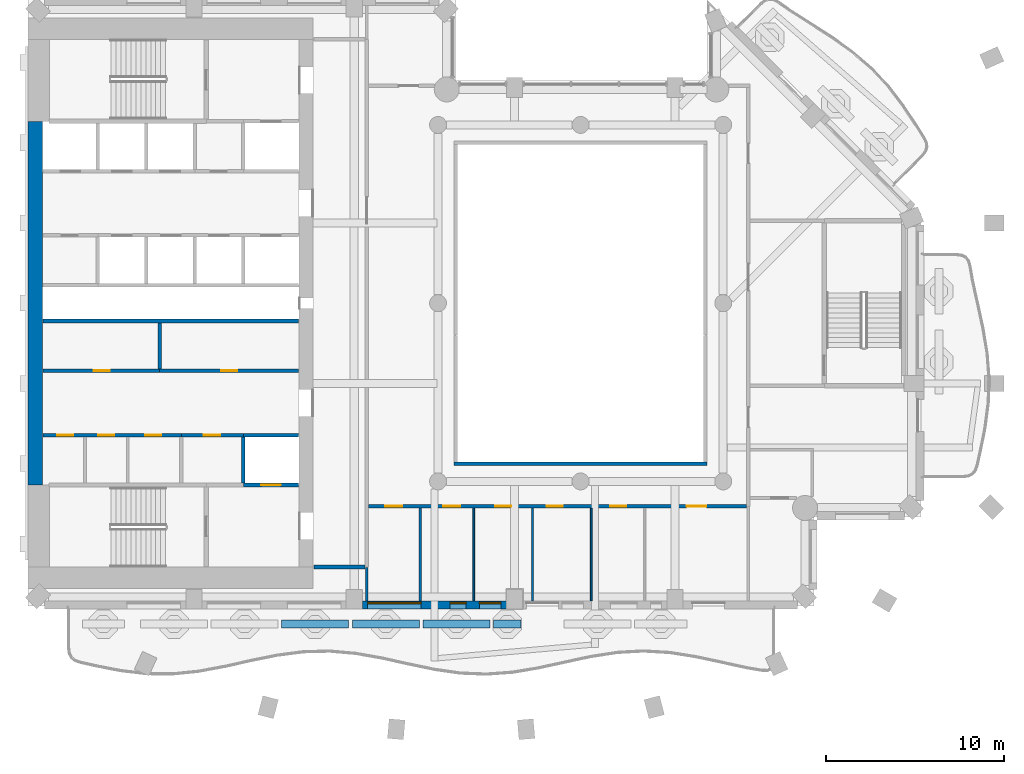
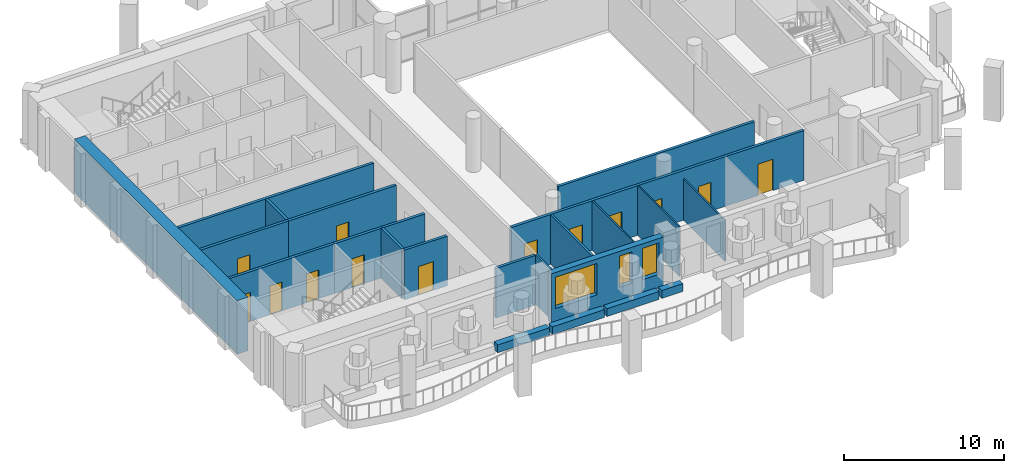
# One storey, part 4 of 15: 23 walls, 13 doors, 3 windows, 16 openings.
"""IFC4 building model written with IfcOpenShell, lengths in metres."""

from ifc_helpers import new_model, si_unit, direction, frame, frame_2d, origin, place, context, subcontext, project, spatial, rectangle, extrude, material, layer, layer_set, type_object, element, fill, save


model = new_model("IFC4")

# Units and contexts
model_context = context("Model", 3, precision=1e-05, world=origin(), true_north=direction((0.0, 1.0)))
body_context = subcontext(model_context, "Body", "Model", "MODEL_VIEW")
ifc_project = project(units=[si_unit("LENGTHUNIT", "METRE"), si_unit("AREAUNIT", "SQUARE_METRE"), si_unit("VOLUMEUNIT", "CUBIC_METRE"), si_unit("PLANEANGLEUNIT", "RADIAN"), si_unit("MASSUNIT", "GRAM", prefix="KILO")], contexts=[model_context])

# Site, building, storey
site_placement = place(None, origin())
site = spatial("IfcSite", under=ifc_project, at=site_placement, CompositionType="ELEMENT")
building_placement = place(site_placement, origin())
building = spatial("IfcBuilding", under=site, at=building_placement, Name="Cypress Arch Tower", CompositionType="ELEMENT")
storey_placement = place(building_placement, frame((0.0, 0.0, 164.60009765625)))
storey = spatial("IfcBuildingStorey", under=building, at=storey_placement, Name="L35", CompositionType="ELEMENT", Elevation=164.60009765625)

# Walls
ifc_material_1 = material(Name="Concrete C40/50, waterproofed", Category="concrete")
ifc_layer_1 = layer(ifc_material_1, 0.449951171875)
ifc_layer_set_1 = layer_set([ifc_layer_1], Name="Balcony planter wall PW450")
wall_type_1 = type_object("IfcWallType", Name="Balcony planter wall PW450", PredefinedType="SOLIDWALL", material=ifc_layer_set_1)
for number, where, z_axis, x_axis, name in (
    (1, (-15.77001953125, -18.0, 0.0), (0.0, 0.0, 1.0), (1.0, 0.0, 0.0), "Balcony planter wall L35-B01.4"),
    (2, (-11.81005859375, -18.0, 0.0), (0.0, 0.0, 1.0), (1.0, 0.0, 0.0), "Balcony planter wall L35-B01.5"),
    (3, (-7.85009765625, -18.0, 0.0), (0.0, 0.0, 1.0), (1.0, 0.0, 0.0), "Balcony planter wall L35-B01.6"),
):
    element("IfcWall", number, at=place(storey_placement, frame(where, z_axis=z_axis, x_axis=x_axis)), inside=storey, type_object=wall_type_1, Name=name, PredefinedType="SOLIDWALL", context=body_context, shape_type="SweptSolid", body=[
        extrude(rectangle(XDim=3.760009765625, YDim=0.449951171875, at=frame_2d((1.8798828125, 0.0))), origin(), (0.0, 0.0, 1.0), 0.599853515625),
    ])
wall_1_placement = place(storey_placement, frame((-3.889892578125, -18.0, 0.0), z_axis=(0.0, 0.0, 1.0), x_axis=(1.0, 0.0, 0.0)))
element("IfcWall", 4, at=wall_1_placement, inside=storey, type_object=wall_type_1, Name="Balcony planter wall L35-B01.7", PredefinedType="SOLIDWALL", context=body_context, shape_type="SweptSolid", body=[
    extrude(rectangle(XDim=1.539794921875, YDim=0.449951171875, at=frame_2d((0.77001953125, 0.0))), origin(), (0.0, 0.0, 1.0), 0.599853515625),
])

# Wall, openings, windows
ifc_material_2 = material(Name="Brick (red buff blend)", Category="masonry")
ifc_layer_2 = layer(ifc_material_2, 0.449951171875)
ifc_layer_set_2 = layer_set([ifc_layer_2], Name="Brick pier and spandrel wall BW450")
wall_type_2 = type_object("IfcWallType", Name="Brick pier and spandrel wall BW450", PredefinedType="SOLIDWALL", material=ifc_layer_set_2)
wall_2_placement = place(storey_placement, frame((-11.25, -16.925048828125, 0.0), z_axis=(0.0, 0.0, 1.0), x_axis=(1.0, 0.0, 0.0)))
wall_2 = element("IfcWall", 5, at=wall_2_placement, inside=storey, type_object=wall_type_2, Name="Brick wall L35 B01.2", PredefinedType="SOLIDWALL", context=body_context, shape_type="SweptSolid", body=[
    extrude(rectangle(XDim=8.10009765625, YDim=0.449951171875, at=frame_2d((4.050048828125, 0.0))), origin(), (0.0, 0.0, 1.0), 3.7998046875),
])
opening_1_placement = place(wall_2_placement, frame((0.300048828125, 0.0, 1.050048828125)))
opening_1 = element("IfcOpeningElement", 6, at=opening_1_placement, cuts=wall_2, Name="Opening W300OD", PredefinedType="OPENING", context=body_context, shape_type="SweptSolid", body=[
    extrude(rectangle(XDim=3.0, YDim=2.39990234375, at=frame_2d((1.5, 1.199951171875))), frame((0.0, 0.23486328125, 0.0), z_axis=(0.0, -1.0, 0.0), x_axis=(1.0, 0.0, 0.0)), (0.0, 0.0, 1.0), 0.469970703125),
])
opening_2_placement = place(wall_2_placement, frame((4.925048828125, 0.0, 1.050048828125)))
opening_2 = element("IfcOpeningElement", 7, at=opening_2_placement, cuts=wall_2, Name="Opening W090OD", PredefinedType="OPENING", context=body_context, shape_type="SweptSolid", body=[
    extrude(rectangle(XDim=0.89990234375, YDim=2.39990234375, at=frame_2d((0.449951171875, 1.199951171875))), frame((0.0, 0.23486328125, 0.0), z_axis=(0.0, -1.0, 0.0), x_axis=(1.0, 0.0, 0.0)), (0.0, 0.0, 1.0), 0.469970703125),
])
opening_3_placement = place(wall_2_placement, frame((6.574951171875, 0.0, 1.050048828125)))
opening_3 = element("IfcOpeningElement", 8, at=opening_3_placement, cuts=wall_2, Name="Opening W120OD", PredefinedType="OPENING", context=body_context, shape_type="SweptSolid", body=[
    extrude(rectangle(XDim=1.199951171875, YDim=2.39990234375, at=frame_2d((0.60009765625, 1.199951171875))), frame((0.0, 0.23486328125, 0.0), z_axis=(0.0, -1.0, 0.0), x_axis=(1.0, 0.0, 0.0)), (0.0, 0.0, 1.0), 0.469970703125),
])
ifc_material_3 = material(Name="Anodised aluminium, bronze finish, laminated low-emissivity double glazing, large-missile impact rated", Category="aluminium")
window_type_1 = type_object("IfcWindowType", Name="Window Office 1200x2400 debris-rated", PartitioningType="SINGLE_PANEL", PredefinedType="WINDOW", material=ifc_material_3)
window_1_placement = place(opening_3_placement, origin())
window_1 = element("IfcWindow", 9, at=window_1_placement, inside=storey, type_object=window_type_1, Name="Window L35 B01.2.2b", OverallHeight=2.39990234375, OverallWidth=1.199951171875, PartitioningType="SINGLE_PANEL", PredefinedType="WINDOW", context=body_context, shape_type="SweptSolid", body=[
    extrude(rectangle(XDim=1.199951171875, YDim=2.39990234375, at=frame_2d((0.60009765625, 1.199951171875))), frame((0.0, 0.135009765625, 0.0), z_axis=(0.0, -1.0, 0.0), x_axis=(1.0, 0.0, 0.0)), (0.0, 0.0, 1.0), 0.06005859375),
])
fill(opening_3, window_1)
ifc_material_4 = material(Name="Anodised aluminium, bronze finish, laminated low-emissivity double glazing, large-missile impact rated", Category="aluminium")
window_type_2 = type_object("IfcWindowType", Name="Window Office 3000x2400 debris-rated", PartitioningType="SINGLE_PANEL", PredefinedType="WINDOW", material=ifc_material_4)
window_2_placement = place(opening_1_placement, origin())
window_2 = element("IfcWindow", 10, at=window_2_placement, inside=storey, type_object=window_type_2, Name="Window L35 B01.2.1", OverallHeight=2.39990234375, OverallWidth=3.0, PartitioningType="SINGLE_PANEL", PredefinedType="WINDOW", context=body_context, shape_type="SweptSolid", body=[
    extrude(rectangle(XDim=3.0, YDim=2.39990234375, at=frame_2d((1.5, 1.199951171875))), frame((0.0, 0.135009765625, 0.0), z_axis=(0.0, -1.0, 0.0), x_axis=(1.0, 0.0, 0.0)), (0.0, 0.0, 1.0), 0.06005859375),
])
fill(opening_1, window_2)
ifc_material_5 = material(Name="Anodised aluminium, bronze finish, laminated low-emissivity double glazing, large-missile impact rated", Category="aluminium")
window_type_3 = type_object("IfcWindowType", Name="Window Office 900x2400 debris-rated", PartitioningType="SINGLE_PANEL", PredefinedType="WINDOW", material=ifc_material_5)
window_3_placement = place(opening_2_placement, origin())
window_3 = element("IfcWindow", 11, at=window_3_placement, inside=storey, type_object=window_type_3, Name="Window L35 B01.2.2", OverallHeight=2.39990234375, OverallWidth=0.89990234375, PartitioningType="SINGLE_PANEL", PredefinedType="WINDOW", context=body_context, shape_type="SweptSolid", body=[
    extrude(rectangle(XDim=0.89990234375, YDim=2.39990234375, at=frame_2d((0.449951171875, 1.199951171875))), frame((0.0, 0.135009765625, 0.0), z_axis=(0.0, -1.0, 0.0), x_axis=(1.0, 0.0, 0.0)), (0.0, 0.0, 1.0), 0.06005859375),
])
fill(opening_2, window_3)

# Wall
ifc_material_6 = material(Name="Concrete C70/85", Category="concrete")
ifc_layer_3 = layer(ifc_material_6, 0.800048828125)
ifc_layer_set_3 = layer_set([ifc_layer_3], Name="Core wall CW800 C70/85")
wall_type_3 = type_object("IfcWallType", Name="Core wall CW800 C70/85", PredefinedType="SHEAR", material=ifc_layer_set_3)
wall_3_placement = place(storey_placement, frame((-29.60009765625, -10.199951171875, 0.0), z_axis=(0.0, 0.0, 1.0), x_axis=(0.0, 1.0, 0.0)))
element("IfcWall", 12, at=wall_3_placement, inside=storey, type_object=wall_type_3, Name="Core wall", PredefinedType="SHEAR", context=body_context, shape_type="SweptSolid", body=[
    extrude(rectangle(XDim=20.39990234375, YDim=0.800048828125, at=frame_2d((10.199951171875, 0.0))), origin(), (0.0, 0.0, 1.0), 4.099853515625),
])

# Wall, openings, doors
ifc_material_7 = material(Name="Concrete blockwork, plastered, rated", Category="masonry")
ifc_layer_4 = layer(ifc_material_7, 0.199951171875)
ifc_layer_set_4 = layer_set([ifc_layer_4], Name="Corridor wall FW200")
wall_type_4 = type_object("IfcWallType", Name="Corridor wall FW200", PredefinedType="PARTITIONING", material=ifc_layer_set_4)
wall_4_placement = place(storey_placement, frame((-29.169921875, -7.39990234375, 0.0), z_axis=(0.0, 0.0, 1.0), x_axis=(1.0, 0.0, 0.0)))
wall_4 = element("IfcWall", 13, at=wall_4_placement, inside=storey, type_object=wall_type_4, Name="Corridor wall", PredefinedType="PARTITIONING", context=body_context, shape_type="SweptSolid", body=[
    extrude(rectangle(XDim=7.7900390625, YDim=0.199951171875, at=frame_2d((3.89501953125, 0.0))), origin(), (0.0, 0.0, 1.0), 3.7998046875),
])
opening_4_placement = place(wall_4_placement, frame((0.800048828125, 0.0, 0.0)))
opening_4 = element("IfcOpeningElement", 14, at=opening_4_placement, cuts=wall_4, Name="Opening D05", PredefinedType="OPENING", context=body_context, shape_type="SweptSolid", body=[
    extrude(rectangle(XDim=0.89990234375, YDim=2.199951171875, at=frame_2d((0.449951171875, 1.10009765625))), frame((0.0, 0.10986328125, 0.0), z_axis=(0.0, -1.0, 0.0), x_axis=(1.0, 0.0, 0.0)), (0.0, 0.0, 1.0), 0.219970703125),
])
opening_5_placement = place(wall_4_placement, frame((3.10009765625, 0.0, 0.0)))
opening_5 = element("IfcOpeningElement", 15, at=opening_5_placement, cuts=wall_4, Name="Opening D05", PredefinedType="OPENING", context=body_context, shape_type="SweptSolid", body=[
    extrude(rectangle(XDim=0.89990234375, YDim=2.199951171875, at=frame_2d((0.449951171875, 1.10009765625))), frame((0.0, 0.10986328125, 0.0), z_axis=(0.0, -1.0, 0.0), x_axis=(1.0, 0.0, 0.0)), (0.0, 0.0, 1.0), 0.219970703125),
])
opening_6_placement = place(wall_4_placement, frame((5.75, 0.0, 0.0)))
opening_6 = element("IfcOpeningElement", 16, at=opening_6_placement, cuts=wall_4, Name="Opening D05", PredefinedType="OPENING", context=body_context, shape_type="SweptSolid", body=[
    extrude(rectangle(XDim=0.89990234375, YDim=2.199951171875, at=frame_2d((0.449951171875, 1.10009765625))), frame((0.0, 0.10986328125, 0.0), z_axis=(0.0, -1.0, 0.0), x_axis=(1.0, 0.0, 0.0)), (0.0, 0.0, 1.0), 0.219970703125),
])
ifc_material_8 = material(Name="Timber flush door", Category="wood")
door_type_1 = type_object("IfcDoorType", Name="Service door D05 900x2200", OperationType="SINGLE_SWING_LEFT", PredefinedType="DOOR", material=ifc_material_8)
door_1_placement = place(opening_4_placement, origin())
door_1 = element("IfcDoor", 17, at=door_1_placement, inside=storey, type_object=door_type_1, Name="Service door", OperationType="SINGLE_SWING_LEFT", OverallHeight=2.199951171875, OverallWidth=0.89990234375, PredefinedType="DOOR", context=body_context, shape_type="SweptSolid", body=[
    extrude(rectangle(XDim=0.89990234375, YDim=2.199951171875, at=frame_2d((0.449951171875, 1.10009765625))), frame((0.0, 0.02490234375, 0.0), z_axis=(0.0, -1.0, 0.0), x_axis=(1.0, 0.0, 0.0)), (0.0, 0.0, 1.0), 0.050048828125),
])
fill(opening_4, door_1)
door_2_placement = place(opening_5_placement, origin())
door_2 = element("IfcDoor", 18, at=door_2_placement, inside=storey, type_object=door_type_1, Name="Service door", OperationType="SINGLE_SWING_RIGHT", OverallHeight=2.199951171875, OverallWidth=0.89990234375, PredefinedType="DOOR", context=body_context, shape_type="SweptSolid", body=[
    extrude(rectangle(XDim=0.89990234375, YDim=2.199951171875, at=frame_2d((0.449951171875, 1.10009765625))), frame((0.0, 0.02490234375, 0.0), z_axis=(0.0, -1.0, 0.0), x_axis=(1.0, 0.0, 0.0)), (0.0, 0.0, 1.0), 0.050048828125),
])
fill(opening_5, door_2)
door_3_placement = place(opening_6_placement, origin())
door_3 = element("IfcDoor", 19, at=door_3_placement, inside=storey, type_object=door_type_1, Name="Service door", OperationType="SINGLE_SWING_RIGHT", OverallHeight=2.199951171875, OverallWidth=0.89990234375, PredefinedType="DOOR", context=body_context, shape_type="SweptSolid", body=[
    extrude(rectangle(XDim=0.89990234375, YDim=2.199951171875, at=frame_2d((0.449951171875, 1.10009765625))), frame((0.0, 0.02490234375, 0.0), z_axis=(0.0, -1.0, 0.0), x_axis=(1.0, 0.0, 0.0)), (0.0, 0.0, 1.0), 0.050048828125),
])
fill(opening_6, door_3)

# Wall, opening, door
wall_5_placement = place(storey_placement, frame((-22.6201171875, -3.800048828125, 0.0), z_axis=(0.0, 0.0, 1.0), x_axis=(1.0, 0.0, 0.0)))
wall_5 = element("IfcWall", 20, at=wall_5_placement, inside=storey, type_object=wall_type_4, Name="Corridor wall", PredefinedType="PARTITIONING", context=body_context, shape_type="SweptSolid", body=[
    extrude(rectangle(XDim=7.7900390625, YDim=0.199951171875, at=frame_2d((3.89501953125, 0.0))), origin(), (0.0, 0.0, 1.0), 3.7998046875),
])
opening_7_placement = place(wall_5_placement, frame((3.449951171875, 0.0, 0.0)))
opening_7 = element("IfcOpeningElement", 21, at=opening_7_placement, cuts=wall_5, Name="Opening D05", PredefinedType="OPENING", context=body_context, shape_type="SweptSolid", body=[
    extrude(rectangle(XDim=0.89990234375, YDim=2.199951171875, at=frame_2d((0.449951171875, 1.10009765625))), frame((0.0, 0.10986328125, 0.0), z_axis=(0.0, -1.0, 0.0), x_axis=(1.0, 0.0, 0.0)), (0.0, 0.0, 1.0), 0.219970703125),
])
door_4_placement = place(opening_7_placement, origin())
door_4 = element("IfcDoor", 22, at=door_4_placement, inside=storey, type_object=door_type_1, Name="Service door", OperationType="SINGLE_SWING_RIGHT", OverallHeight=2.199951171875, OverallWidth=0.89990234375, PredefinedType="DOOR", context=body_context, shape_type="SweptSolid", body=[
    extrude(rectangle(XDim=0.89990234375, YDim=2.199951171875, at=frame_2d((0.449951171875, 1.10009765625))), frame((0.0, 0.02490234375, 0.0), z_axis=(0.0, -1.0, 0.0), x_axis=(1.0, 0.0, 0.0)), (0.0, 0.0, 1.0), 0.050048828125),
])
fill(opening_7, door_4)

# Wall
wall_6_placement = place(storey_placement, frame((-13.969970703125, -14.800048828125, 0.0), z_axis=(0.0, 0.0, 1.0), x_axis=(1.0, 0.0, 0.0)))
element("IfcWall", 23, at=wall_6_placement, inside=storey, type_object=wall_type_4, Name="Corridor wall", PredefinedType="PARTITIONING", context=body_context, shape_type="SweptSolid", body=[
    extrude(rectangle(XDim=2.869873046875, YDim=0.199951171875, at=frame_2d((1.43505859375, 0.0))), origin(), (0.0, 0.0, 1.0), 3.7998046875),
])

# Wall, openings, doors
wall_7_placement = place(storey_placement, frame((-10.89990234375, -11.39990234375, 0.0), z_axis=(0.0, 0.0, 1.0), x_axis=(1.0, 0.0, 0.0)))
wall_7 = element("IfcWall", 24, at=wall_7_placement, inside=storey, type_object=wall_type_4, Name="Corridor wall", PredefinedType="PARTITIONING", context=body_context, shape_type="SweptSolid", body=[
    extrude(rectangle(XDim=21.199951171875, YDim=0.199951171875, at=frame_2d((10.60009765625, 0.0))), origin(), (0.0, 0.0, 1.0), 3.7998046875),
])
opening_8_placement = place(wall_7_placement, frame((0.949951171875, 0.0, 0.0)))
opening_8 = element("IfcOpeningElement", 25, at=opening_8_placement, cuts=wall_7, Name="Opening D02", PredefinedType="OPENING", context=body_context, shape_type="SweptSolid", body=[
    extrude(rectangle(XDim=0.949951171875, YDim=2.199951171875, at=frame_2d((0.47509765625, 1.10009765625))), frame((0.0, 0.10986328125, 0.0), z_axis=(0.0, -1.0, 0.0), x_axis=(1.0, 0.0, 0.0)), (0.0, 0.0, 1.0), 0.219970703125),
])
opening_9_placement = place(wall_7_placement, frame((4.199951171875, 0.0, 0.0)))
opening_9 = element("IfcOpeningElement", 26, at=opening_9_placement, cuts=wall_7, Name="Opening D02", PredefinedType="OPENING", context=body_context, shape_type="SweptSolid", body=[
    extrude(rectangle(XDim=0.949951171875, YDim=2.199951171875, at=frame_2d((0.47509765625, 1.10009765625))), frame((0.0, 0.10986328125, 0.0), z_axis=(0.0, -1.0, 0.0), x_axis=(1.0, 0.0, 0.0)), (0.0, 0.0, 1.0), 0.219970703125),
])
opening_10_placement = place(wall_7_placement, frame((7.10009765625, 0.0, 0.0)))
opening_10 = element("IfcOpeningElement", 27, at=opening_10_placement, cuts=wall_7, Name="Opening D03", PredefinedType="OPENING", context=body_context, shape_type="SweptSolid", body=[
    extrude(rectangle(XDim=0.89990234375, YDim=2.199951171875, at=frame_2d((0.449951171875, 1.10009765625))), frame((0.0, 0.10986328125, 0.0), z_axis=(0.0, -1.0, 0.0), x_axis=(1.0, 0.0, 0.0)), (0.0, 0.0, 1.0), 0.219970703125),
])
opening_11_placement = place(wall_7_placement, frame((10.0, 0.0, 0.0)))
opening_11 = element("IfcOpeningElement", 28, at=opening_11_placement, cuts=wall_7, Name="Opening D03", PredefinedType="OPENING", context=body_context, shape_type="SweptSolid", body=[
    extrude(rectangle(XDim=0.89990234375, YDim=2.199951171875, at=frame_2d((0.449951171875, 1.10009765625))), frame((0.0, 0.10986328125, 0.0), z_axis=(0.0, -1.0, 0.0), x_axis=(1.0, 0.0, 0.0)), (0.0, 0.0, 1.0), 0.219970703125),
])
opening_12_placement = place(wall_7_placement, frame((13.550048828125, 0.0, 0.0)))
opening_12 = element("IfcOpeningElement", 29, at=opening_12_placement, cuts=wall_7, Name="Opening D03", PredefinedType="OPENING", context=body_context, shape_type="SweptSolid", body=[
    extrude(rectangle(XDim=0.89990234375, YDim=2.199951171875, at=frame_2d((0.449951171875, 1.10009765625))), frame((0.0, 0.10986328125, 0.0), z_axis=(0.0, -1.0, 0.0), x_axis=(1.0, 0.0, 0.0)), (0.0, 0.0, 1.0), 0.219970703125),
])
opening_13_placement = place(wall_7_placement, frame((17.85009765625, 0.0, 0.0)))
opening_13 = element("IfcOpeningElement", 30, at=opening_13_placement, cuts=wall_7, Name="Opening D01", PredefinedType="OPENING", context=body_context, shape_type="SweptSolid", body=[
    extrude(rectangle(XDim=1.10009765625, YDim=2.39990234375, at=frame_2d((0.550048828125, 1.199951171875))), frame((0.0, 0.10986328125, 0.0), z_axis=(0.0, -1.0, 0.0), x_axis=(1.0, 0.0, 0.0)), (0.0, 0.0, 1.0), 0.219970703125),
])
ifc_material_9 = material(Name="Timber flush door, moisture resistant", Category="wood")
door_type_2 = type_object("IfcDoorType", Name="Bathroom door D03 900x2200", OperationType="SINGLE_SWING_LEFT", PredefinedType="DOOR", material=ifc_material_9)
door_5_placement = place(opening_10_placement, origin())
door_5 = element("IfcDoor", 31, at=door_5_placement, inside=storey, type_object=door_type_2, Name="Bathroom door", OperationType="SINGLE_SWING_RIGHT", OverallHeight=2.199951171875, OverallWidth=0.89990234375, PredefinedType="DOOR", context=body_context, shape_type="SweptSolid", body=[
    extrude(rectangle(XDim=0.89990234375, YDim=2.199951171875, at=frame_2d((0.449951171875, 1.10009765625))), frame((0.0, 0.02490234375, 0.0), z_axis=(0.0, -1.0, 0.0), x_axis=(1.0, 0.0, 0.0)), (0.0, 0.0, 1.0), 0.050048828125),
])
fill(opening_10, door_5)
door_6_placement = place(opening_11_placement, origin())
door_6 = element("IfcDoor", 32, at=door_6_placement, inside=storey, type_object=door_type_2, Name="Bathroom door", OperationType="SINGLE_SWING_RIGHT", OverallHeight=2.199951171875, OverallWidth=0.89990234375, PredefinedType="DOOR", context=body_context, shape_type="SweptSolid", body=[
    extrude(rectangle(XDim=0.89990234375, YDim=2.199951171875, at=frame_2d((0.449951171875, 1.10009765625))), frame((0.0, 0.02490234375, 0.0), z_axis=(0.0, -1.0, 0.0), x_axis=(1.0, 0.0, 0.0)), (0.0, 0.0, 1.0), 0.050048828125),
])
fill(opening_11, door_6)
door_7_placement = place(opening_12_placement, origin())
door_7 = element("IfcDoor", 33, at=door_7_placement, inside=storey, type_object=door_type_2, Name="Bathroom door", OperationType="SINGLE_SWING_RIGHT", OverallHeight=2.199951171875, OverallWidth=0.89990234375, PredefinedType="DOOR", context=body_context, shape_type="SweptSolid", body=[
    extrude(rectangle(XDim=0.89990234375, YDim=2.199951171875, at=frame_2d((0.449951171875, 1.10009765625))), frame((0.0, 0.02490234375, 0.0), z_axis=(0.0, -1.0, 0.0), x_axis=(1.0, 0.0, 0.0)), (0.0, 0.0, 1.0), 0.050048828125),
])
fill(opening_12, door_7)
ifc_material_10 = material(Name="Timber flush door, fire resisting", Category="wood")
door_type_3 = type_object("IfcDoorType", Name="Room door D02 950x2200", OperationType="SINGLE_SWING_LEFT", PredefinedType="DOOR", material=ifc_material_10)
door_8_placement = place(opening_8_placement, origin())
door_8 = element("IfcDoor", 34, at=door_8_placement, inside=storey, type_object=door_type_3, Name="Room door", OperationType="SINGLE_SWING_LEFT", OverallHeight=2.199951171875, OverallWidth=0.949951171875, PredefinedType="DOOR", context=body_context, shape_type="SweptSolid", body=[
    extrude(rectangle(XDim=0.949951171875, YDim=2.199951171875, at=frame_2d((0.47509765625, 1.10009765625))), frame((0.0, 0.02490234375, 0.0), z_axis=(0.0, -1.0, 0.0), x_axis=(1.0, 0.0, 0.0)), (0.0, 0.0, 1.0), 0.050048828125),
])
fill(opening_8, door_8)
door_9_placement = place(opening_9_placement, origin())
door_9 = element("IfcDoor", 35, at=door_9_placement, inside=storey, type_object=door_type_3, Name="Room door", OperationType="SINGLE_SWING_LEFT", OverallHeight=2.199951171875, OverallWidth=0.949951171875, PredefinedType="DOOR", context=body_context, shape_type="SweptSolid", body=[
    extrude(rectangle(XDim=0.949951171875, YDim=2.199951171875, at=frame_2d((0.47509765625, 1.10009765625))), frame((0.0, 0.02490234375, 0.0), z_axis=(0.0, -1.0, 0.0), x_axis=(1.0, 0.0, 0.0)), (0.0, 0.0, 1.0), 0.050048828125),
])
fill(opening_9, door_9)
ifc_material_11 = material(Name="Timber flush door, fire resisting, self-closing", Category="wood")
door_type_4 = type_object("IfcDoorType", Name="Unit entrance door D01 1100x2400", OperationType="SINGLE_SWING_LEFT", PredefinedType="DOOR", material=ifc_material_11)
door_10_placement = place(opening_13_placement, origin())
door_10 = element("IfcDoor", 36, at=door_10_placement, inside=storey, type_object=door_type_4, Name="Unit entrance door", OperationType="SINGLE_SWING_LEFT", OverallHeight=2.39990234375, OverallWidth=1.10009765625, PredefinedType="DOOR", context=body_context, shape_type="SweptSolid", body=[
    extrude(rectangle(XDim=1.10009765625, YDim=2.39990234375, at=frame_2d((0.550048828125, 1.199951171875))), frame((0.0, 0.02490234375, 0.0), z_axis=(0.0, -1.0, 0.0), x_axis=(1.0, 0.0, 0.0)), (0.0, 0.0, 1.0), 0.050048828125),
])
fill(opening_13, door_10)

# Walls
wall_8_placement = place(storey_placement, frame((-6.10009765625, -9.0, 0.0), z_axis=(0.0, 0.0, 1.0), x_axis=(1.0, 0.0, 0.0)))
element("IfcWall", 37, at=wall_8_placement, inside=storey, type_object=wall_type_4, Name="Corridor wall", PredefinedType="PARTITIONING", context=body_context, shape_type="SweptSolid", body=[
    extrude(rectangle(XDim=14.2001953125, YDim=0.199951171875, at=frame_2d((7.10009765625, 0.0))), origin(), (0.0, 0.0, 1.0), 3.7998046875),
])
ifc_material_12 = material(Name="Blockwork, plastered both sides", Category="masonry")
ifc_layer_5 = layer(ifc_material_12, 0.14990234375)
ifc_layer_set_5 = layer_set([ifc_layer_5], Name="Partition PW150")
wall_type_5 = type_object("IfcWallType", Name="Partition PW150", PredefinedType="PARTITIONING", material=ifc_layer_set_5)
wall_9_placement = place(storey_placement, frame((-11.0, -16.699951171875, 0.0), z_axis=(0.0, 0.0, 1.0), x_axis=(0.0, 1.0, 0.0)))
element("IfcWall", 38, at=wall_9_placement, inside=storey, type_object=wall_type_5, Name="Partition", PredefinedType="PARTITIONING", context=body_context, shape_type="SweptSolid", body=[
    extrude(rectangle(XDim=1.8798828125, YDim=0.14990234375, at=frame_2d((0.93994140625, 0.0))), origin(), (0.0, 0.0, 1.0), 3.7998046875),
])
wall_10_placement = place(storey_placement, frame((-8.0, -16.699951171875, 0.0), z_axis=(0.0, 0.0, 1.0), x_axis=(0.0, 1.0, 0.0)))
element("IfcWall", 39, at=wall_10_placement, inside=storey, type_object=wall_type_5, Name="Partition", PredefinedType="PARTITIONING", context=body_context, shape_type="SweptSolid", body=[
    extrude(rectangle(XDim=5.199951171875, YDim=0.14990234375, at=frame_2d((2.60009765625, 0.0))), origin(), (0.0, 0.0, 1.0), 3.7998046875),
])

# Wall, opening, door
ifc_material_13 = material(Name="Reinforced blockwork, plastered, rated", Category="masonry")
ifc_layer_6 = layer(ifc_material_13, 0.199951171875)
ifc_layer_set_6 = layer_set([ifc_layer_6], Name="Plant and riser wall PL200")
wall_type_6 = type_object("IfcWallType", Name="Plant and riser wall PL200", PredefinedType="PARTITIONING", material=ifc_layer_set_6)
wall_11_placement = place(storey_placement, frame((-29.169921875, -3.800048828125, 0.0), z_axis=(0.0, 0.0, 1.0), x_axis=(1.0, 0.0, 0.0)))
wall_11 = element("IfcWall", 40, at=wall_11_placement, inside=storey, type_object=wall_type_6, Name="Plant and riser wall", PredefinedType="PARTITIONING", context=body_context, shape_type="SweptSolid", body=[
    extrude(rectangle(XDim=6.5498046875, YDim=0.199951171875, at=frame_2d((3.27490234375, 0.0))), origin(), (0.0, 0.0, 1.0), 3.7998046875),
])
opening_14_placement = place(wall_11_placement, frame((2.85009765625, 0.0, 0.0)))
opening_14 = element("IfcOpeningElement", 41, at=opening_14_placement, cuts=wall_11, Name="Opening D05", PredefinedType="OPENING", context=body_context, shape_type="SweptSolid", body=[
    extrude(rectangle(XDim=0.89990234375, YDim=2.199951171875, at=frame_2d((0.449951171875, 1.10009765625))), frame((0.0, 0.10986328125, 0.0), z_axis=(0.0, -1.0, 0.0), x_axis=(1.0, 0.0, 0.0)), (0.0, 0.0, 1.0), 0.219970703125),
])
door_11_placement = place(opening_14_placement, origin())
door_11 = element("IfcDoor", 42, at=door_11_placement, inside=storey, type_object=door_type_1, Name="Service door", OperationType="SINGLE_SWING_RIGHT", OverallHeight=2.199951171875, OverallWidth=0.89990234375, PredefinedType="DOOR", context=body_context, shape_type="SweptSolid", body=[
    extrude(rectangle(XDim=0.89990234375, YDim=2.199951171875, at=frame_2d((0.449951171875, 1.10009765625))), frame((0.0, 0.02490234375, 0.0), z_axis=(0.0, -1.0, 0.0), x_axis=(1.0, 0.0, 0.0)), (0.0, 0.0, 1.0), 0.050048828125),
])
fill(opening_14, door_11)

# Walls
wall_12_placement = place(storey_placement, frame((-29.169921875, -1.0, 0.0), z_axis=(0.0, 0.0, 1.0), x_axis=(1.0, 0.0, 0.0)))
element("IfcWall", 43, at=wall_12_placement, inside=storey, type_object=wall_type_6, Name="Plant and riser wall", PredefinedType="PARTITIONING", context=body_context, shape_type="SweptSolid", body=[
    extrude(rectangle(XDim=14.33984375, YDim=0.199951171875, at=frame_2d((7.169921875, 0.0))), origin(), (0.0, 0.0, 1.0), 3.7998046875),
])
wall_13_placement = place(storey_placement, frame((-22.60009765625, -3.699951171875, 0.0), z_axis=(0.0, 0.0, 1.0), x_axis=(0.0, 1.0, 0.0)))
element("IfcWall", 44, at=wall_13_placement, inside=storey, type_object=wall_type_6, Name="Plant and riser wall", PredefinedType="PARTITIONING", context=body_context, shape_type="SweptSolid", body=[
    extrude(rectangle(XDim=2.599853515625, YDim=0.199951171875, at=frame_2d((1.2998046875, 0.0))), origin(), (0.0, 0.0, 1.0), 3.7998046875),
])

# Wall, opening, door
wall_14_placement = place(storey_placement, frame((-21.3798828125, -7.39990234375, 0.0), z_axis=(0.0, 0.0, 1.0), x_axis=(1.0, 0.0, 0.0)))
wall_14 = element("IfcWall", 45, at=wall_14_placement, inside=storey, type_object=wall_type_6, Name="Plant and riser wall", PredefinedType="PARTITIONING", context=body_context, shape_type="SweptSolid", body=[
    extrude(rectangle(XDim=3.47998046875, YDim=0.199951171875, at=frame_2d((1.739990234375, 0.0))), origin(), (0.0, 0.0, 1.0), 3.7998046875),
])
opening_15_placement = place(wall_14_placement, frame((1.25, 0.0, 0.0)))
opening_15 = element("IfcOpeningElement", 46, at=opening_15_placement, cuts=wall_14, Name="Opening D05", PredefinedType="OPENING", context=body_context, shape_type="SweptSolid", body=[
    extrude(rectangle(XDim=0.89990234375, YDim=2.199951171875, at=frame_2d((0.449951171875, 1.10009765625))), frame((0.0, 0.10986328125, 0.0), z_axis=(0.0, -1.0, 0.0), x_axis=(1.0, 0.0, 0.0)), (0.0, 0.0, 1.0), 0.219970703125),
])
door_12_placement = place(opening_15_placement, origin())
door_12 = element("IfcDoor", 47, at=door_12_placement, inside=storey, type_object=door_type_1, Name="Service door", OperationType="SINGLE_SWING_RIGHT", OverallHeight=2.199951171875, OverallWidth=0.89990234375, PredefinedType="DOOR", context=body_context, shape_type="SweptSolid", body=[
    extrude(rectangle(XDim=0.89990234375, YDim=2.199951171875, at=frame_2d((0.449951171875, 1.10009765625))), frame((0.0, 0.02490234375, 0.0), z_axis=(0.0, -1.0, 0.0), x_axis=(1.0, 0.0, 0.0)), (0.0, 0.0, 1.0), 0.050048828125),
])
fill(opening_15, door_12)

# Wall
ifc_material_14 = material(Name="Concrete C50/60", Category="concrete")
ifc_layer_7 = layer(ifc_material_14, 0.199951171875)
ifc_layer_set_7 = layer_set([ifc_layer_7], Name="Shaft wall SH200")
wall_type_7 = type_object("IfcWallType", Name="Shaft wall SH200", PredefinedType="SHEAR", material=ifc_layer_set_7)
wall_15_placement = place(storey_placement, frame((-17.919921875, -10.10009765625, 0.0), z_axis=(0.0, 0.0, 1.0), x_axis=(0.0, 1.0, 0.0)))
element("IfcWall", 48, at=wall_15_placement, inside=storey, type_object=wall_type_7, Name="Shaft wall", PredefinedType="SHEAR", context=body_context, shape_type="SweptSolid", body=[
    extrude(rectangle(XDim=2.60009765625, YDim=0.199951171875, at=frame_2d((1.300048828125, 0.0))), origin(), (0.0, 0.0, 1.0), 3.7998046875),
])

# Wall, opening, door
wall_16_placement = place(storey_placement, frame((-17.919921875, -10.199951171875, 0.0), z_axis=(0.0, 0.0, 1.0), x_axis=(1.0, 0.0, 0.0)))
wall_16 = element("IfcWall", 49, at=wall_16_placement, inside=storey, type_object=wall_type_7, Name="Shaft wall", PredefinedType="SHEAR", context=body_context, shape_type="SweptSolid", body=[
    extrude(rectangle(XDim=3.08984375, YDim=0.199951171875, at=frame_2d((1.544921875, 0.0))), origin(), (0.0, 0.0, 1.0), 3.7998046875),
])
opening_16_placement = place(wall_16_placement, frame((1.0, 0.0, 0.0)))
opening_16 = element("IfcOpeningElement", 50, at=opening_16_placement, cuts=wall_16, Name="Opening LD-FL1", PredefinedType="OPENING", context=body_context, shape_type="SweptSolid", body=[
    extrude(rectangle(XDim=1.10009765625, YDim=2.199951171875, at=frame_2d((0.550048828125, 1.10009765625))), frame((0.0, 0.10986328125, 0.0), z_axis=(0.0, -1.0, 0.0), x_axis=(1.0, 0.0, 0.0)), (0.0, 0.0, 1.0), 0.219970703125),
])
ifc_material_15 = material(Name="Stainless steel centre-opening landing door, rated", Category="steel")
door_type_5 = type_object("IfcDoorType", Name="Lift landing door LD 1100x2200", OperationType="DOUBLE_DOOR_SLIDING", PredefinedType="DOOR", material=ifc_material_15)
door_13_placement = place(opening_16_placement, origin())
door_13 = element("IfcDoor", 51, at=door_13_placement, inside=storey, type_object=door_type_5, Name="Lift landing doors FL1", OperationType="DOUBLE_DOOR_SLIDING", OverallHeight=2.199951171875, OverallWidth=1.10009765625, PredefinedType="DOOR", context=body_context, shape_type="SweptSolid", body=[
    extrude(rectangle(XDim=1.10009765625, YDim=2.199951171875, at=frame_2d((0.550048828125, 1.10009765625))), frame((0.0, 0.02490234375, 0.0), z_axis=(0.0, -1.0, 0.0), x_axis=(1.0, 0.0, 0.0)), (0.0, 0.0, 1.0), 0.050048828125),
])
fill(opening_16, door_13)

# Walls
wall_17_placement = place(storey_placement, frame((-17.89990234375, -7.39990234375, 0.0), z_axis=(0.0, 0.0, 1.0), x_axis=(1.0, 0.0, 0.0)))
element("IfcWall", 52, at=wall_17_placement, inside=storey, type_object=wall_type_7, Name="Shaft wall", PredefinedType="SHEAR", context=body_context, shape_type="SweptSolid", body=[
    extrude(rectangle(XDim=3.06982421875, YDim=0.199951171875, at=frame_2d((1.534912109375, 0.0))), origin(), (0.0, 0.0, 1.0), 3.7998046875),
])
ifc_material_16 = material(Name="Moisture resistant board on steel studs, tiled", Category="steel")
ifc_layer_8 = layer(ifc_material_16, 0.10009765625)
ifc_layer_set_8 = layer_set([ifc_layer_8], Name="Wet wall PW100")
wall_type_8 = type_object("IfcWallType", Name="Wet wall PW100", PredefinedType="PARTITIONING", material=ifc_layer_set_8)
for number, where, z_axis, x_axis, name in (
    (53, (-5.0, -16.699951171875, 0.0), (0.0, 0.0, 1.0), (0.0, 1.0, 0.0), "Wet wall"),
    (54, (-1.698974609375, -16.699951171875, 0.0), (0.0, 0.0, 1.0), (0.0, 1.0, 0.0), "Wet wall"),
):
    element("IfcWall", number, at=place(storey_placement, frame(where, z_axis=z_axis, x_axis=x_axis)), inside=storey, type_object=wall_type_8, Name=name, PredefinedType="PARTITIONING", context=body_context, shape_type="SweptSolid", body=[
        extrude(rectangle(XDim=5.199951171875, YDim=0.10009765625, at=frame_2d((2.60009765625, 0.0))), origin(), (0.0, 0.0, 1.0), 3.7998046875),
    ])
wall_18_placement = place(storey_placement, frame((1.60107421875, -16.699951171875, 0.0), z_axis=(0.0, 0.0, 1.0), x_axis=(0.0, 1.0, 0.0)))
element("IfcWall", 55, at=wall_18_placement, inside=storey, type_object=wall_type_8, Name="Wet wall", PredefinedType="PARTITIONING", context=body_context, shape_type="SweptSolid", body=[
    extrude(rectangle(XDim=5.199951171875, YDim=0.10009765625, at=frame_2d((2.60009765625, 0.0))), origin(), (0.0, 0.0, 1.0), 3.14990234375),
])

save(model, "model.ifc")
